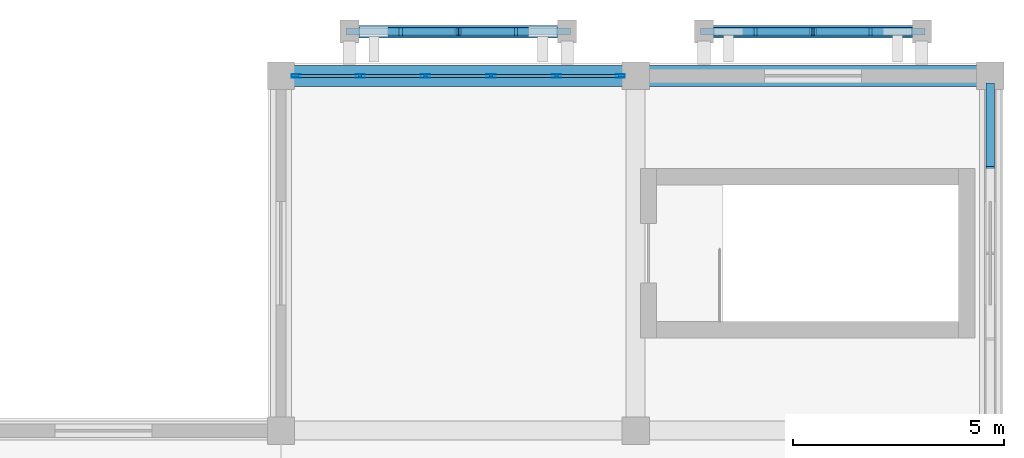
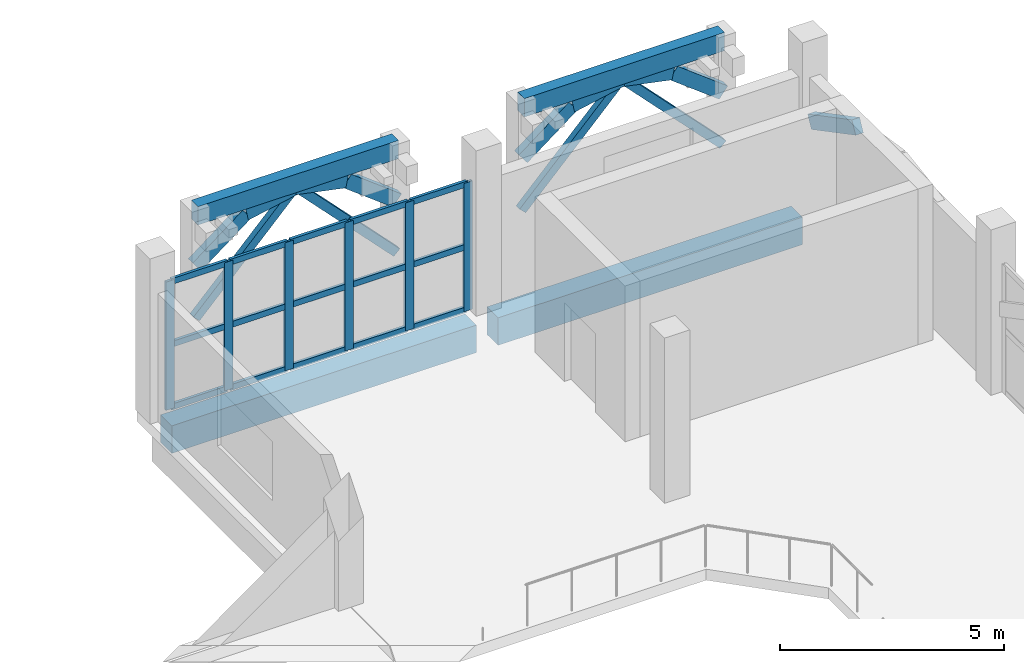
# One storey, part 11 of 16: 34 members, 4 beams, 1 element without a shape of its own.
"""IFC4 building model written with IfcOpenShell, lengths in metres."""

from ifc_helpers import new_model, si_unit, direction, frame, origin, origin_2d, place, context, subcontext, project, spatial, rectangle, hollow_rectangle, extrude, material, layer, layer_set, material_profile, profile_set, type_object, element, aggregate, save


model = new_model("IFC4")

# Units and contexts
model_context = context("Model", 3, precision=1e-05, world=origin(), true_north=direction((0.0, 1.0)))
body_context = subcontext(model_context, "Body", "Model", "MODEL_VIEW")
ifc_project = project(units=[si_unit("LENGTHUNIT", "METRE"), si_unit("AREAUNIT", "SQUARE_METRE"), si_unit("VOLUMEUNIT", "CUBIC_METRE"), si_unit("PLANEANGLEUNIT", "RADIAN"), si_unit("MASSUNIT", "GRAM", prefix="KILO")], contexts=[model_context])

# Site, building, storey
site_placement = place(None, origin())
site = spatial("IfcSite", under=ifc_project, at=site_placement, CompositionType="ELEMENT")
building_placement = place(site_placement, origin())
building = spatial("IfcBuilding", under=site, at=building_placement, Name="Xazarin Passage Department Store", CompositionType="ELEMENT")
storey_placement = place(building_placement, frame((0.0, 0.0, 32.39990234375)))
storey = spatial("IfcBuildingStorey", under=building, at=storey_placement, Name="L07", CompositionType="ELEMENT", Elevation=32.39990234375)

# Curtain wall, members
ifc_material_1 = material(Name="Bronze anodised aluminium", Category="aluminium")
ifc_layer = layer(ifc_material_1, 0.199951171875)
ifc_layer_set = layer_set([ifc_layer], Name="Bronze anodised aluminium")
curtain_wall_type = type_object("IfcCurtainWallType", Name="ARC-CW-VIT2", PredefinedType="NOTDEFINED", material=ifc_layer_set)
curtain_wall_placement = place(storey_placement, origin())
curtain_wall = element("IfcCurtainWall", 1, at=curtain_wall_placement, inside=storey, type_object=curtain_wall_type, Name="L07 V1 Curtain Wall 094", PredefinedType="NOTDEFINED")
ifc_material_profile_1 = material_profile(ifc_material_1, hollow_rectangle(XDim=0.074951171875, YDim=0.219970703125, WallThickness=0.0048828125, at=origin_2d()), Name="ALU 75x220")
ifc_profile_set_1 = profile_set([ifc_material_profile_1], Name="Bronze anodised aluminium")
member_type_1 = type_object("IfcMemberType", Name="ARC-CWM-75x220", PredefinedType="MULLION", material=ifc_profile_set_1)
member_1_placement = place(storey_placement, frame((17.16259765625, 110.0, 0.0), z_axis=(0.0, 0.0, 1.0), x_axis=(0.0, 1.0, 0.0)))
member_1 = element("IfcMember", 2, at=member_1_placement, type_object=member_type_1, Name="CW2 mullion 1", PredefinedType="MULLION", context=body_context, shape_type="SweptSolid", body=[
    extrude(hollow_rectangle(XDim=0.074951171875, YDim=0.219970703125, WallThickness=0.0048828125, at=origin_2d()), origin(), (0.0, 0.0, 1.0), 3.489990234375),
])
member_2_placement = place(storey_placement, frame((18.675048828125, 110.0, 0.0), z_axis=(0.0, 0.0, 1.0), x_axis=(0.0, 1.0, 0.0)))
member_2 = element("IfcMember", 3, at=member_2_placement, type_object=member_type_1, Name="CW2 mullion 2", PredefinedType="MULLION", context=body_context, shape_type="SweptSolid", body=[
    extrude(hollow_rectangle(XDim=0.074951171875, YDim=0.219970703125, WallThickness=0.0048828125, at=origin_2d()), origin(), (0.0, 0.0, 1.0), 3.489990234375),
])
member_3_placement = place(storey_placement, frame((20.22509765625, 110.0, 0.0), z_axis=(0.0, 0.0, 1.0), x_axis=(0.0, 1.0, 0.0)))
member_3 = element("IfcMember", 4, at=member_3_placement, type_object=member_type_1, Name="CW2 mullion 3", PredefinedType="MULLION", context=body_context, shape_type="SweptSolid", body=[
    extrude(hollow_rectangle(XDim=0.074951171875, YDim=0.219970703125, WallThickness=0.0048828125, at=origin_2d()), origin(), (0.0, 0.0, 1.0), 3.489990234375),
])
member_4_placement = place(storey_placement, frame((21.77490234375, 110.0, 0.0), z_axis=(0.0, 0.0, 1.0), x_axis=(0.0, 1.0, 0.0)))
member_4 = element("IfcMember", 5, at=member_4_placement, type_object=member_type_1, Name="CW2 mullion 4", PredefinedType="MULLION", context=body_context, shape_type="SweptSolid", body=[
    extrude(hollow_rectangle(XDim=0.074951171875, YDim=0.219970703125, WallThickness=0.0048828125, at=origin_2d()), origin(), (0.0, 0.0, 1.0), 3.489990234375),
])
member_5_placement = place(storey_placement, frame((23.324951171875, 110.0, 0.0), z_axis=(0.0, 0.0, 1.0), x_axis=(0.0, 1.0, 0.0)))
member_5 = element("IfcMember", 6, at=member_5_placement, type_object=member_type_1, Name="CW2 mullion 5", PredefinedType="MULLION", context=body_context, shape_type="SweptSolid", body=[
    extrude(hollow_rectangle(XDim=0.074951171875, YDim=0.219970703125, WallThickness=0.0048828125, at=origin_2d()), origin(), (0.0, 0.0, 1.0), 3.489990234375),
])
member_6_placement = place(storey_placement, frame((24.83740234375, 110.0, 0.0), z_axis=(0.0, 0.0, 1.0), x_axis=(0.0, 1.0, 0.0)))
member_6 = element("IfcMember", 7, at=member_6_placement, type_object=member_type_1, Name="CW2 mullion 6", PredefinedType="MULLION", context=body_context, shape_type="SweptSolid", body=[
    extrude(hollow_rectangle(XDim=0.074951171875, YDim=0.219970703125, WallThickness=0.0048828125, at=origin_2d()), origin(), (0.0, 0.0, 1.0), 3.489990234375),
])
ifc_material_profile_2 = material_profile(ifc_material_1, hollow_rectangle(XDim=0.074951171875, YDim=0.159912109375, WallThickness=0.00439453125, at=origin_2d()), Name="ALU 75x160")
ifc_profile_set_2 = profile_set([ifc_material_profile_2], Name="Bronze anodised aluminium")
member_type_2 = type_object("IfcMemberType", Name="ARC-CWT-75x160", PredefinedType="USERDEFINED", material=ifc_profile_set_2)
member_7_placement = place(storey_placement, frame((17.199951171875, 110.0, 0.03759765625), z_axis=(1.0, 0.0, 0.0), x_axis=(0.0, 1.0, 0.0)))
member_7 = element("IfcMember", 8, at=member_7_placement, type_object=member_type_2, Name="CW2 transom 1.1", ObjectType="TRANSOM", PredefinedType="USERDEFINED", context=body_context, shape_type="SweptSolid", body=[
    extrude(hollow_rectangle(XDim=0.074951171875, YDim=0.159912109375, WallThickness=0.00439453125, at=origin_2d()), origin(), (0.0, 0.0, 1.0), 1.4375),
])
member_8_placement = place(storey_placement, frame((17.199951171875, 110.0, 1.7451171875), z_axis=(1.0, 0.0, 0.0), x_axis=(0.0, 1.0, 0.0)))
member_8 = element("IfcMember", 9, at=member_8_placement, type_object=member_type_2, Name="CW2 transom 1.2", ObjectType="TRANSOM", PredefinedType="USERDEFINED", context=body_context, shape_type="SweptSolid", body=[
    extrude(hollow_rectangle(XDim=0.074951171875, YDim=0.159912109375, WallThickness=0.00439453125, at=origin_2d()), origin(), (0.0, 0.0, 1.0), 1.4375),
])
member_9_placement = place(storey_placement, frame((17.199951171875, 110.0, 3.45263671875), z_axis=(1.0, 0.0, 0.0), x_axis=(0.0, 1.0, 0.0)))
member_9 = element("IfcMember", 10, at=member_9_placement, type_object=member_type_2, Name="CW2 transom 1.3", ObjectType="TRANSOM", PredefinedType="USERDEFINED", context=body_context, shape_type="SweptSolid", body=[
    extrude(hollow_rectangle(XDim=0.074951171875, YDim=0.159912109375, WallThickness=0.00439453125, at=origin_2d()), origin(), (0.0, 0.0, 1.0), 1.4375),
])
member_10_placement = place(storey_placement, frame((18.71240234375, 110.0, 0.03759765625), z_axis=(1.0, 0.0, 0.0), x_axis=(0.0, 1.0, 0.0)))
member_10 = element("IfcMember", 11, at=member_10_placement, type_object=member_type_2, Name="CW2 transom 2.1", ObjectType="TRANSOM", PredefinedType="USERDEFINED", context=body_context, shape_type="SweptSolid", body=[
    extrude(hollow_rectangle(XDim=0.074951171875, YDim=0.159912109375, WallThickness=0.00439453125, at=origin_2d()), origin(), (0.0, 0.0, 1.0), 1.47509765625),
])
member_11_placement = place(storey_placement, frame((18.71240234375, 110.0, 1.7451171875), z_axis=(1.0, 0.0, 0.0), x_axis=(0.0, 1.0, 0.0)))
member_11 = element("IfcMember", 12, at=member_11_placement, type_object=member_type_2, Name="CW2 transom 2.2", ObjectType="TRANSOM", PredefinedType="USERDEFINED", context=body_context, shape_type="SweptSolid", body=[
    extrude(hollow_rectangle(XDim=0.074951171875, YDim=0.159912109375, WallThickness=0.00439453125, at=origin_2d()), origin(), (0.0, 0.0, 1.0), 1.47509765625),
])
member_12_placement = place(storey_placement, frame((18.71240234375, 110.0, 3.45263671875), z_axis=(1.0, 0.0, 0.0), x_axis=(0.0, 1.0, 0.0)))
member_12 = element("IfcMember", 13, at=member_12_placement, type_object=member_type_2, Name="CW2 transom 2.3", ObjectType="TRANSOM", PredefinedType="USERDEFINED", context=body_context, shape_type="SweptSolid", body=[
    extrude(hollow_rectangle(XDim=0.074951171875, YDim=0.159912109375, WallThickness=0.00439453125, at=origin_2d()), origin(), (0.0, 0.0, 1.0), 1.47509765625),
])
member_13_placement = place(storey_placement, frame((20.262451171875, 110.0, 0.03759765625), z_axis=(1.0, 0.0, 0.0), x_axis=(0.0, 1.0, 0.0)))
member_13 = element("IfcMember", 14, at=member_13_placement, type_object=member_type_2, Name="CW2 transom 3.1", ObjectType="TRANSOM", PredefinedType="USERDEFINED", context=body_context, shape_type="SweptSolid", body=[
    extrude(hollow_rectangle(XDim=0.074951171875, YDim=0.159912109375, WallThickness=0.00439453125, at=origin_2d()), origin(), (0.0, 0.0, 1.0), 1.47509765625),
])
member_14_placement = place(storey_placement, frame((20.262451171875, 110.0, 1.7451171875), z_axis=(1.0, 0.0, 0.0), x_axis=(0.0, 1.0, 0.0)))
member_14 = element("IfcMember", 15, at=member_14_placement, type_object=member_type_2, Name="CW2 transom 3.2", ObjectType="TRANSOM", PredefinedType="USERDEFINED", context=body_context, shape_type="SweptSolid", body=[
    extrude(hollow_rectangle(XDim=0.074951171875, YDim=0.159912109375, WallThickness=0.00439453125, at=origin_2d()), origin(), (0.0, 0.0, 1.0), 1.47509765625),
])
member_15_placement = place(storey_placement, frame((20.262451171875, 110.0, 3.45263671875), z_axis=(1.0, 0.0, 0.0), x_axis=(0.0, 1.0, 0.0)))
member_15 = element("IfcMember", 16, at=member_15_placement, type_object=member_type_2, Name="CW2 transom 3.3", ObjectType="TRANSOM", PredefinedType="USERDEFINED", context=body_context, shape_type="SweptSolid", body=[
    extrude(hollow_rectangle(XDim=0.074951171875, YDim=0.159912109375, WallThickness=0.00439453125, at=origin_2d()), origin(), (0.0, 0.0, 1.0), 1.47509765625),
])
member_16_placement = place(storey_placement, frame((21.8125, 110.0, 0.03759765625), z_axis=(1.0, 0.0, 0.0), x_axis=(0.0, 1.0, 0.0)))
member_16 = element("IfcMember", 17, at=member_16_placement, type_object=member_type_2, Name="CW2 transom 4.1", ObjectType="TRANSOM", PredefinedType="USERDEFINED", context=body_context, shape_type="SweptSolid", body=[
    extrude(hollow_rectangle(XDim=0.074951171875, YDim=0.159912109375, WallThickness=0.00439453125, at=origin_2d()), origin(), (0.0, 0.0, 1.0), 1.47509765625),
])
member_17_placement = place(storey_placement, frame((21.8125, 110.0, 1.7451171875), z_axis=(1.0, 0.0, 0.0), x_axis=(0.0, 1.0, 0.0)))
member_17 = element("IfcMember", 18, at=member_17_placement, type_object=member_type_2, Name="CW2 transom 4.2", ObjectType="TRANSOM", PredefinedType="USERDEFINED", context=body_context, shape_type="SweptSolid", body=[
    extrude(hollow_rectangle(XDim=0.074951171875, YDim=0.159912109375, WallThickness=0.00439453125, at=origin_2d()), origin(), (0.0, 0.0, 1.0), 1.47509765625),
])
member_18_placement = place(storey_placement, frame((21.8125, 110.0, 3.45263671875), z_axis=(1.0, 0.0, 0.0), x_axis=(0.0, 1.0, 0.0)))
member_18 = element("IfcMember", 19, at=member_18_placement, type_object=member_type_2, Name="CW2 transom 4.3", ObjectType="TRANSOM", PredefinedType="USERDEFINED", context=body_context, shape_type="SweptSolid", body=[
    extrude(hollow_rectangle(XDim=0.074951171875, YDim=0.159912109375, WallThickness=0.00439453125, at=origin_2d()), origin(), (0.0, 0.0, 1.0), 1.47509765625),
])
member_19_placement = place(storey_placement, frame((23.362548828125, 110.0, 0.03759765625), z_axis=(1.0, 0.0, 0.0), x_axis=(0.0, 1.0, 0.0)))
member_19 = element("IfcMember", 20, at=member_19_placement, type_object=member_type_2, Name="CW2 transom 5.1", ObjectType="TRANSOM", PredefinedType="USERDEFINED", context=body_context, shape_type="SweptSolid", body=[
    extrude(hollow_rectangle(XDim=0.074951171875, YDim=0.159912109375, WallThickness=0.00439453125, at=origin_2d()), origin(), (0.0, 0.0, 1.0), 1.4375),
])
member_20_placement = place(storey_placement, frame((23.362548828125, 110.0, 1.7451171875), z_axis=(1.0, 0.0, 0.0), x_axis=(0.0, 1.0, 0.0)))
member_20 = element("IfcMember", 21, at=member_20_placement, type_object=member_type_2, Name="CW2 transom 5.2", ObjectType="TRANSOM", PredefinedType="USERDEFINED", context=body_context, shape_type="SweptSolid", body=[
    extrude(hollow_rectangle(XDim=0.074951171875, YDim=0.159912109375, WallThickness=0.00439453125, at=origin_2d()), origin(), (0.0, 0.0, 1.0), 1.4375),
])
member_21_placement = place(storey_placement, frame((23.362548828125, 110.0, 3.45263671875), z_axis=(1.0, 0.0, 0.0), x_axis=(0.0, 1.0, 0.0)))
member_21 = element("IfcMember", 22, at=member_21_placement, type_object=member_type_2, Name="CW2 transom 5.3", ObjectType="TRANSOM", PredefinedType="USERDEFINED", context=body_context, shape_type="SweptSolid", body=[
    extrude(hollow_rectangle(XDim=0.074951171875, YDim=0.159912109375, WallThickness=0.00439453125, at=origin_2d()), origin(), (0.0, 0.0, 1.0), 1.4375),
])
aggregate(curtain_wall, [member_1, member_2, member_3, member_4, member_5, member_6, member_7, member_8, member_9, member_10, member_11, member_12, member_13, member_14, member_15, member_16, member_17, member_18, member_19, member_20, member_21])

# Beams
ifc_material_2 = material(Name="Concrete C35/45", Category="concrete")
ifc_material_profile_3 = material_profile(ifc_material_2, rectangle(XDim=0.300048828125, YDim=0.5, at=origin_2d()), Name="RC 300x500")
ifc_profile_set_3 = profile_set([ifc_material_profile_3], Name="Concrete C35/45")
beam_type_1 = type_object("IfcBeamType", Name="STR-BM-LN300x500", PredefinedType="LINTEL", material=ifc_profile_set_3)
beam_1_placement = place(storey_placement, frame((18.419921875, 111.050048828125, 4.25), z_axis=(1.0, 0.0, 0.0), x_axis=(0.0, 1.0, 0.0)))
element("IfcBeam", 23, at=beam_1_placement, inside=storey, type_object=beam_type_1, Name="L07 V1 Colonnade Spandrel Beam 001", PredefinedType="LINTEL", context=body_context, shape_type="SweptSolid", body=[
    extrude(rectangle(XDim=0.300048828125, YDim=0.5, at=origin_2d()), origin(), (0.0, 0.0, 1.0), 5.16015625),
])
beam_2_placement = place(storey_placement, frame((26.820068359375, 111.050048828125, 4.25), z_axis=(1.0, 0.0, 0.0), x_axis=(0.0, 1.0, 0.0)))
element("IfcBeam", 24, at=beam_2_placement, inside=storey, type_object=beam_type_1, Name="L07 V1 Colonnade Spandrel Beam 002", PredefinedType="LINTEL", context=body_context, shape_type="SweptSolid", body=[
    extrude(rectangle(XDim=0.300048828125, YDim=0.5, at=origin_2d()), origin(), (0.0, 0.0, 1.0), 5.159912109375),
])
ifc_material_profile_4 = material_profile(ifc_material_2, rectangle(XDim=0.5, YDim=0.75, at=origin_2d()), Name="RC 500x750")
ifc_profile_set_4 = profile_set([ifc_material_profile_4], Name="Concrete C35/45")
beam_type_2 = type_object("IfcBeamType", Name="STR-BM-SP500x750", PredefinedType="SPANDREL", material=ifc_profile_set_4)
beam_3_placement = place(storey_placement, frame((17.080078125, 110.0, -0.6748046875), z_axis=(1.0, 0.0, 0.0), x_axis=(0.0, 1.0, 0.0)))
element("IfcBeam", 25, at=beam_3_placement, inside=storey, type_object=beam_type_2, Name="L07 Grid Beam Q/3-4", PredefinedType="SPANDREL", context=body_context, shape_type="SweptSolid", body=[
    extrude(rectangle(XDim=0.5, YDim=0.75, at=origin_2d()), origin(), (0.0, 0.0, 1.0), 7.83984375),
])
beam_4_placement = place(storey_placement, frame((25.47998046875, 110.0, -0.6748046875), z_axis=(1.0, 0.0, 0.0), x_axis=(0.0, 1.0, 0.0)))
element("IfcBeam", 26, at=beam_4_placement, inside=storey, type_object=beam_type_2, Name="L07 Grid Beam Q/4-5", PredefinedType="SPANDREL", context=body_context, shape_type="SweptSolid", body=[
    extrude(rectangle(XDim=0.5, YDim=0.75, at=origin_2d()), origin(), (0.0, 0.0, 1.0), 7.840087890625),
])

# Members
ifc_material_3 = material(Name="Concrete C40/50", Category="concrete")
ifc_material_profile_5 = material_profile(ifc_material_3, rectangle(XDim=0.199951171875, YDim=0.360107421875, at=origin_2d()), Name="RC 200x360")
ifc_profile_set_5 = profile_set([ifc_material_profile_5], Name="Concrete C40/50")
member_type_3 = type_object("IfcMemberType", Name="STR-MEM-ARC360", PredefinedType="CHORD", material=ifc_profile_set_5)
member_22_placement = place(storey_placement, frame((18.419921875, 111.050048828125, 2.830078125), z_axis=(0.79440903847, 0.0, 0.607383140692), x_axis=(0.0, 1.0, 0.0)))
element("IfcMember", 27, at=member_22_placement, inside=storey, type_object=member_type_3, Name="L07 V1 Pierced Lattice Curved Arch 001.1", PredefinedType="CHORD", context=body_context, shape_type="SweptSolid", body=[
    extrude(rectangle(XDim=0.199951171875, YDim=0.360107421875, at=origin_2d()), origin(), (0.0, 0.0, 1.0), 1.623779296875),
])
for number, where, z_axis, x_axis, name in (
    (28, (19.7099609375, 111.050048828125, 3.81640625), (0.979744705887, 0.0, 0.200250621188), (0.0, 1.0, 0.0), "L07 V1 Pierced Lattice Curved Arch 001.2"),
    (29, (21.0, 111.050048828125, 4.080078125), (0.979744705887, 0.0, -0.200250621188), (0.0, 1.0, 0.0), "L07 V1 Pierced Lattice Curved Arch 001.3"),
):
    element("IfcMember", number, at=place(storey_placement, frame(where, z_axis=z_axis, x_axis=x_axis)), inside=storey, type_object=member_type_3, Name=name, PredefinedType="CHORD", context=body_context, shape_type="SweptSolid", body=[
        extrude(rectangle(XDim=0.199951171875, YDim=0.360107421875, at=origin_2d()), origin(), (0.0, 0.0, 1.0), 1.316650390625),
    ])
for number, where, z_axis, x_axis, name in (
    (30, (22.2900390625, 111.050048828125, 3.81640625), (0.79440903847, 0.0, -0.607383140692), (0.0, 1.0, 0.0), "L07 V1 Pierced Lattice Curved Arch 001.4"),
    (31, (26.820068359375, 111.050048828125, 2.830078125), (0.79440903847, 0.0, 0.607383140692), (0.0, 1.0, 0.0), "L07 V1 Pierced Lattice Curved Arch 002.1"),
):
    element("IfcMember", number, at=place(storey_placement, frame(where, z_axis=z_axis, x_axis=x_axis)), inside=storey, type_object=member_type_3, Name=name, PredefinedType="CHORD", context=body_context, shape_type="SweptSolid", body=[
        extrude(rectangle(XDim=0.199951171875, YDim=0.360107421875, at=origin_2d()), origin(), (0.0, 0.0, 1.0), 1.623779296875),
    ])
member_23_placement = place(storey_placement, frame((28.110107421875, 111.050048828125, 3.81640625), z_axis=(0.979737268571, 0.0, 0.2002870055), x_axis=(0.0, 1.0, 0.0)))
element("IfcMember", 32, at=member_23_placement, inside=storey, type_object=member_type_3, Name="L07 V1 Pierced Lattice Curved Arch 002.2", PredefinedType="CHORD", context=body_context, shape_type="SweptSolid", body=[
    extrude(rectangle(XDim=0.199951171875, YDim=0.360107421875, at=origin_2d()), origin(), (0.0, 0.0, 1.0), 1.31640625),
])
member_24_placement = place(storey_placement, frame((29.39990234375, 111.050048828125, 4.080078125), z_axis=(0.979744705887, 0.0, -0.200250621188), x_axis=(0.0, 1.0, 0.0)))
element("IfcMember", 33, at=member_24_placement, inside=storey, type_object=member_type_3, Name="L07 V1 Pierced Lattice Curved Arch 002.3", PredefinedType="CHORD", context=body_context, shape_type="SweptSolid", body=[
    extrude(rectangle(XDim=0.199951171875, YDim=0.360107421875, at=origin_2d()), origin(), (0.0, 0.0, 1.0), 1.316650390625),
])
member_25_placement = place(storey_placement, frame((30.68994140625, 111.050048828125, 3.81640625), z_axis=(0.79440903847, 0.0, -0.607383140692), x_axis=(0.0, 1.0, 0.0)))
element("IfcMember", 34, at=member_25_placement, inside=storey, type_object=member_type_3, Name="L07 V1 Pierced Lattice Curved Arch 002.4", PredefinedType="CHORD", context=body_context, shape_type="SweptSolid", body=[
    extrude(rectangle(XDim=0.199951171875, YDim=0.360107421875, at=origin_2d()), origin(), (0.0, 0.0, 1.0), 1.623779296875),
])
member_26_placement = place(storey_placement, frame((33.60009765625, 107.77490234375, 3.2705078125), z_axis=(0.0, 0.88473311603, -0.466097965454), x_axis=(-1.0, 0.0, 0.0)))
element("IfcMember", 35, at=member_26_placement, inside=storey, type_object=member_type_3, Name="L07 V1 Upper Setback Pierced Arch 048.4", PredefinedType="CHORD", context=body_context, shape_type="SweptSolid", body=[
    extrude(rectangle(XDim=0.199951171875, YDim=0.360107421875, at=origin_2d()), origin(), (0.0, 0.0, 1.0), 2.232421875),
])
ifc_material_profile_6 = material_profile(ifc_material_3, rectangle(XDim=0.159912109375, YDim=0.219970703125, at=origin_2d()), Name="RC 160x220")
ifc_profile_set_6 = profile_set([ifc_material_profile_6], Name="Concrete C40/50")
member_type_4 = type_object("IfcMemberType", Name="STR-MEM-TRC220", PredefinedType="CHORD", material=ifc_profile_set_6)
for number, where, z_axis, x_axis, name in (
    (36, (21.0, 111.050048828125, 4.080078125), (-0.693558444435, 0.0, -0.720400363793), (0.0, -1.0, 0.0), "L07 V1 Upper Lattice Tracery Arch 001L"),
    (37, (21.0, 111.050048828125, 4.080078125), (0.693558444435, 0.0, -0.720400363793), (0.0, 1.0, 0.0), "L07 V1 Upper Lattice Tracery Arch 001R"),
    (38, (29.39990234375, 111.050048828125, 4.080078125), (-0.693524382622, 0.0, -0.72043315492), (0.0, -1.0, 0.0), "L07 V1 Upper Lattice Tracery Arch 002L"),
    (39, (29.39990234375, 111.050048828125, 4.080078125), (0.693558444435, 0.0, -0.720400363793), (0.0, 1.0, 0.0), "L07 V1 Upper Lattice Tracery Arch 002R"),
):
    element("IfcMember", number, at=place(storey_placement, frame(where, z_axis=z_axis, x_axis=x_axis)), inside=storey, type_object=member_type_4, Name=name, PredefinedType="CHORD", context=body_context, shape_type="SweptSolid", body=[
        extrude(rectangle(XDim=0.159912109375, YDim=0.219970703125, at=origin_2d()), origin(), (0.0, 0.0, 1.0), 3.719970703125),
    ])

save(model, "model.ifc")
